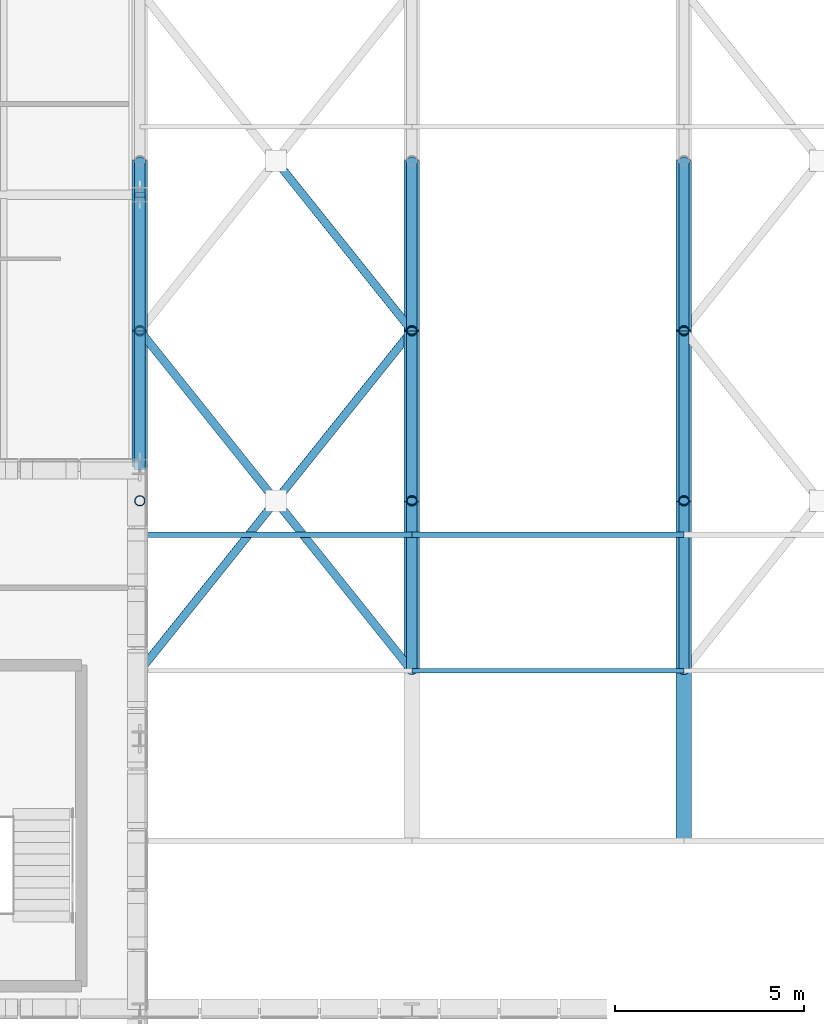
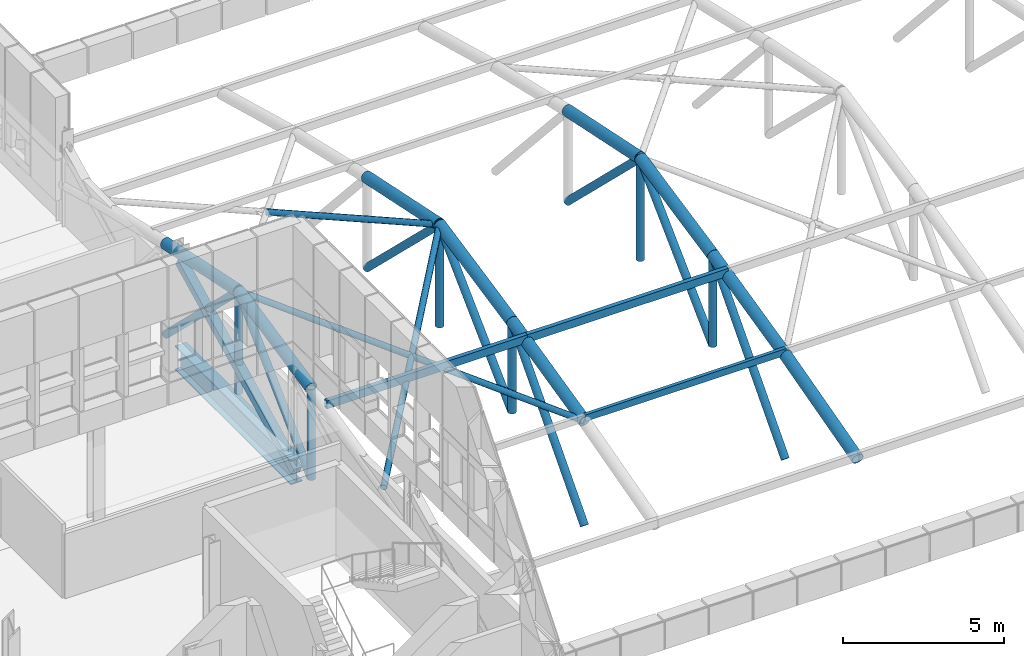
# One storey, part 22 of 96: 31 members, 1 beam.
"""IFC4 building model written with IfcOpenShell, lengths in metres."""

from ifc_helpers import new_model, si_unit, direction, frame, origin, origin_2d, place, context, subcontext, project, spatial, hollow_rectangle, hollow_circle, i_section, extrude, material, material_profile, profile_set, type_object, element, save


model = new_model("IFC4")

# Units and contexts
model_context = context("Model", 3, precision=1e-05, world=origin(), true_north=direction((0.0, 1.0)))
body_context = subcontext(model_context, "Body", "Model", "MODEL_VIEW")
ifc_project = project(units=[si_unit("LENGTHUNIT", "METRE"), si_unit("AREAUNIT", "SQUARE_METRE"), si_unit("VOLUMEUNIT", "CUBIC_METRE"), si_unit("PLANEANGLEUNIT", "RADIAN"), si_unit("MASSUNIT", "GRAM", prefix="KILO")], contexts=[model_context])

# Site, building, storey
site_placement = place(None, origin())
site = spatial("IfcSite", under=ifc_project, at=site_placement, CompositionType="ELEMENT")
building_placement = place(site_placement, origin())
building = spatial("IfcBuilding", under=site, at=building_placement, Name="Yarey Park Central Fire Station", CompositionType="ELEMENT")
storey_placement = place(building_placement, frame((0.0, 0.0, 14.39990234375)))
storey = spatial("IfcBuildingStorey", under=building, at=storey_placement, Name="L04", CompositionType="ELEMENT", Elevation=14.39990234375)

# Beam
ifc_material_1 = material(Name="Steel ASTM A992 Gr. 50", Category="steel")
ifc_material_profile_1 = material_profile(ifc_material_1, i_section(OverallWidth=0.41796875, OverallDepth=0.912109375, WebThickness=0.019287109375, FlangeThickness=0.031982421875, at=origin_2d()), Name="W920x342")
ifc_profile_set_1 = profile_set([ifc_material_profile_1], Name="Steel ASTM A992 Gr. 50")
beam_type = type_object("IfcBeamType", Name="STR_BM_W920E", PredefinedType="BEAM", material=ifc_profile_set_1)
beam_placement = place(storey_placement, frame((57.60009765625, 72.0, -0.705810546875), z_axis=(0.0, 1.0, 0.0), x_axis=(-1.0, 0.0, 0.0)))
element("IfcBeam", 1, at=beam_placement, inside=storey, type_object=beam_type, Name="Transfer Truss TT5 L04 CH3", PredefinedType="BEAM", context=body_context, shape_type="SweptSolid", body=[
    extrude(i_section(OverallWidth=0.41796875, OverallDepth=0.912109375, WebThickness=0.019287109375, FlangeThickness=0.031982421875, at=origin_2d()), origin(), (0.0, 0.0, 1.0), 7.199951171875),
])

# Members
ifc_material_2 = material(Name="Steel ASTM A500 Gr. C", Category="steel")
ifc_material_profile_2 = material_profile(ifc_material_2, hollow_circle(Radius=0.109619140625, WallThickness=0.010009765625, at=origin_2d()), Name="CHS 219.1x10")
ifc_profile_set_2 = profile_set([ifc_material_profile_2], Name="Steel ASTM A500 Gr. C")
member_type_1 = type_object("IfcMemberType", Name="STR_BRC_CHS219", PredefinedType="BRACE", material=ifc_profile_set_2)
member_1_placement = place(storey_placement, frame((57.60009765625, 66.60009765625, 1.940185546875), z_axis=(0.615531741105, 0.769419894344, 0.170627377286), x_axis=(-0.780870876022, 0.624692464322, 0.0)))
element("IfcMember", 2, at=member_1_placement, inside=storey, type_object=member_type_1, Name="XBR_ARCH_B01_66_1", PredefinedType="BRACE", context=body_context, shape_type="SweptSolid", body=[
    extrude(hollow_circle(Radius=0.109619140625, WallThickness=0.010009765625, at=origin_2d()), origin(), (0.0, 0.0, 1.0), 11.697021484375),
])
member_2_placement = place(storey_placement, frame((64.800048828125, 66.60009765625, 1.940185546875), z_axis=(-0.61554689676, 0.769412749293, 0.170604921135), x_axis=(-0.780860543151, -0.624705380279, 0.0)))
element("IfcMember", 3, at=member_2_placement, inside=storey, type_object=member_type_1, Name="XBR_ARCH_B01_66_2A", PredefinedType="BRACE", context=body_context, shape_type="SweptSolid", body=[
    extrude(hollow_circle(Radius=0.109619140625, WallThickness=0.010009765625, at=origin_2d()), origin(), (0.0, 0.0, 1.0), 5.8486328125),
])
member_3_placement = place(storey_placement, frame((61.199951171875, 71.10009765625, 2.93798828125), z_axis=(-0.615516584686, 0.769427038924, 0.17064983372), x_axis=(-0.780881208953, -0.624679547852, 0.0)))
element("IfcMember", 4, at=member_3_placement, inside=storey, type_object=member_type_1, Name="XBR_ARCH_B01_66_2B", PredefinedType="BRACE", context=body_context, shape_type="SweptSolid", body=[
    extrude(hollow_circle(Radius=0.109619140625, WallThickness=0.010009765625, at=origin_2d()), origin(), (0.0, 0.0, 1.0), 5.848388671875),
])
member_4_placement = place(storey_placement, frame((64.800048828125, 75.60009765625, 3.93603515625), z_axis=(-0.615542512582, 0.76940726922, -0.170645449033), x_axis=(-0.780860543151, -0.624705380279, 0.0)))
element("IfcMember", 5, at=member_4_placement, inside=storey, type_object=member_type_1, Name="XBR_ARCH_B01_75_2A", PredefinedType="BRACE", context=body_context, shape_type="SweptSolid", body=[
    extrude(hollow_circle(Radius=0.109619140625, WallThickness=0.010009765625, at=origin_2d()), origin(), (0.0, 0.0, 1.0), 5.8486328125),
])
ifc_material_profile_3 = material_profile(ifc_material_2, hollow_circle(Radius=0.203125, WallThickness=0.01611328125, at=origin_2d()), Name="CHS 406.4x16")
ifc_profile_set_3 = profile_set([ifc_material_profile_3], Name="Steel ASTM A500 Gr. C")
member_type_2 = type_object("IfcMemberType", Name="STR_CHORD_CHS406", PredefinedType="CHORD", material=ifc_profile_set_3)
for number, where, z_axis, x_axis, name in (
    (6, (57.60009765625, 71.10009765625, 2.99609375), (0.0, 0.978874249501, 0.204463208582), (-1.0, 0.0, 0.0), "Arched Roof Truss ART_01 Top Chord 4"),
    (7, (57.60009765625, 75.60009765625, 3.93603515625), (0.0, 0.978874249501, -0.204463208582), (-1.0, 0.0, 0.0), "Arched Roof Truss ART_01 Top Chord 5"),
):
    element("IfcMember", number, at=place(storey_placement, frame(where, z_axis=z_axis, x_axis=x_axis)), inside=storey, type_object=member_type_2, Name=name, PredefinedType="CHORD", context=body_context, shape_type="SweptSolid", body=[
        extrude(hollow_circle(Radius=0.203125, WallThickness=0.01611328125, at=origin_2d()), origin(), (0.0, 0.0, 1.0), 4.59716796875),
    ])
member_5_placement = place(storey_placement, frame((64.800048828125, 66.60009765625, 1.940185546875), z_axis=(0.0, 0.97355760432, 0.228441657915), x_axis=(-1.0, 0.0, 0.0)))
element("IfcMember", 8, at=member_5_placement, inside=storey, type_object=member_type_2, Name="Arched Roof Truss ART_02 Top Chord 3", PredefinedType="CHORD", context=body_context, shape_type="SweptSolid", body=[
    extrude(hollow_circle(Radius=0.203125, WallThickness=0.01611328125, at=origin_2d()), origin(), (0.0, 0.0, 1.0), 4.622314453125),
])
for number, where, z_axis, x_axis, name in (
    (9, (64.800048828125, 71.10009765625, 2.99609375), (0.0, 0.978874249501, 0.204463208582), (-1.0, 0.0, 0.0), "Arched Roof Truss ART_02 Top Chord 4"),
    (10, (64.800048828125, 75.60009765625, 3.93603515625), (0.0, 0.978874249501, -0.204463208582), (-1.0, 0.0, 0.0), "Arched Roof Truss ART_02 Top Chord 5"),
):
    element("IfcMember", number, at=place(storey_placement, frame(where, z_axis=z_axis, x_axis=x_axis)), inside=storey, type_object=member_type_2, Name=name, PredefinedType="CHORD", context=body_context, shape_type="SweptSolid", body=[
        extrude(hollow_circle(Radius=0.203125, WallThickness=0.01611328125, at=origin_2d()), origin(), (0.0, 0.0, 1.0), 4.59716796875),
    ])
member_6_placement = place(storey_placement, frame((72.0, 62.10009765625, 0.717529296875), z_axis=(0.0, 0.965014687101, 0.262195830783), x_axis=(-1.0, 0.0, 0.0)))
element("IfcMember", 11, at=member_6_placement, inside=storey, type_object=member_type_2, Name="Arched Roof Truss ART_03 Top Chord 2", PredefinedType="CHORD", context=body_context, shape_type="SweptSolid", body=[
    extrude(hollow_circle(Radius=0.203125, WallThickness=0.01611328125, at=origin_2d()), origin(), (0.0, 0.0, 1.0), 4.6630859375),
])
member_7_placement = place(storey_placement, frame((72.0, 66.60009765625, 1.940185546875), z_axis=(0.0, 0.97355760432, 0.228441657915), x_axis=(-1.0, 0.0, 0.0)))
element("IfcMember", 12, at=member_7_placement, inside=storey, type_object=member_type_2, Name="Arched Roof Truss ART_03 Top Chord 3", PredefinedType="CHORD", context=body_context, shape_type="SweptSolid", body=[
    extrude(hollow_circle(Radius=0.203125, WallThickness=0.01611328125, at=origin_2d()), origin(), (0.0, 0.0, 1.0), 4.622314453125),
])
for number, where, z_axis, x_axis, name in (
    (13, (72.0, 71.10009765625, 2.99609375), (0.0, 0.978874249501, 0.204463208582), (-1.0, 0.0, 0.0), "Arched Roof Truss ART_03 Top Chord 4"),
    (14, (72.0, 75.60009765625, 3.93603515625), (0.0, 0.978874249501, -0.204463208582), (-1.0, 0.0, 0.0), "Arched Roof Truss ART_03 Top Chord 5"),
):
    element("IfcMember", number, at=place(storey_placement, frame(where, z_axis=z_axis, x_axis=x_axis)), inside=storey, type_object=member_type_2, Name=name, PredefinedType="CHORD", context=body_context, shape_type="SweptSolid", body=[
        extrude(hollow_circle(Radius=0.203125, WallThickness=0.01611328125, at=origin_2d()), origin(), (0.0, 0.0, 1.0), 4.59716796875),
    ])
ifc_material_profile_4 = material_profile(ifc_material_2, hollow_rectangle(XDim=0.125, YDim=0.25, WallThickness=0.008056640625, at=origin_2d()), Name="HSS 250x125x8")
ifc_profile_set_4 = profile_set([ifc_material_profile_4], Name="Steel ASTM A500 Gr. C")
member_type_3 = type_object("IfcMemberType", Name="STR_GIRT_HSS250", PredefinedType="PURLIN", material=ifc_profile_set_4)
member_8_placement = place(storey_placement, frame((64.800048828125, 66.60009765625, 2.0791015625), z_axis=(1.0, 0.0, 0.0), x_axis=(0.0, 1.0, 0.0)))
element("IfcMember", 15, at=member_8_placement, inside=storey, type_object=member_type_3, Name="PUR_ARCH_B02_2", PredefinedType="PURLIN", context=body_context, shape_type="SweptSolid", body=[
    extrude(hollow_rectangle(XDim=0.125, YDim=0.25, WallThickness=0.008056640625, at=origin_2d()), origin(), (0.0, 0.0, 1.0), 7.199951171875),
])
ifc_material_profile_5 = material_profile(ifc_material_2, hollow_rectangle(XDim=0.300048828125, YDim=0.300048828125, WallThickness=0.01611328125, at=origin_2d()), Name="HSS 300x300x16")
ifc_profile_set_5 = profile_set([ifc_material_profile_5], Name="Steel ASTM A500 Gr. C")
member_type_4 = type_object("IfcMemberType", Name="STR_PRATT_HSS300E", PredefinedType="BRACE", material=ifc_profile_set_5)
member_9_placement = place(storey_placement, frame((57.60009765625, 72.0, -0.699951171875), z_axis=(0.0, 0.894421125195, 0.447225726904), x_axis=(-1.0, 0.0, 0.0)))
element("IfcMember", 16, at=member_9_placement, inside=storey, type_object=member_type_4, Name="TT5_L04_DIAG3", PredefinedType="BRACE", context=body_context, shape_type="SweptSolid", body=[
    extrude(hollow_rectangle(XDim=0.300048828125, YDim=0.300048828125, WallThickness=0.01611328125, at=origin_2d()), origin(), (0.0, 0.0, 1.0), 8.0498046875),
])
ifc_material_profile_6 = material_profile(ifc_material_2, hollow_rectangle(XDim=0.14990234375, YDim=0.300048828125, WallThickness=0.010009765625, at=origin_2d()), Name="HSS 300x150x10")
ifc_profile_set_6 = profile_set([ifc_material_profile_6], Name="Steel ASTM A500 Gr. C")
member_type_5 = type_object("IfcMemberType", Name="STR_PUR_HSS300", PredefinedType="PURLIN", material=ifc_profile_set_6)
for number, where, z_axis, x_axis, name in (
    (17, (57.60009765625, 70.199951171875, 2.922119140625), (1.0, 0.0, 0.0), (0.0, 1.0, 0.0), "PUR_ARCH_B01_3"),
    (18, (64.800048828125, 70.199951171875, 2.922119140625), (1.0, 0.0, 0.0), (0.0, 1.0, 0.0), "PUR_ARCH_B02_3"),
):
    element("IfcMember", number, at=place(storey_placement, frame(where, z_axis=z_axis, x_axis=x_axis)), inside=storey, type_object=member_type_5, Name=name, PredefinedType="PURLIN", context=body_context, shape_type="SweptSolid", body=[
        extrude(hollow_rectangle(XDim=0.14990234375, YDim=0.300048828125, WallThickness=0.010009765625, at=origin_2d()), origin(), (0.0, 0.0, 1.0), 7.199951171875),
    ])
ifc_material_profile_7 = material_profile(ifc_material_2, hollow_circle(Radius=0.136474609375, WallThickness=0.012451171875, at=origin_2d()), Name="CHS 273x12.5")
ifc_profile_set_7 = profile_set([ifc_material_profile_7], Name="Steel ASTM A500 Gr. C")
member_type_6 = type_object("IfcMemberType", Name="STR_WEB_CHS273", PredefinedType="BRACE", material=ifc_profile_set_7)
for number, where, z_axis, x_axis, name in (
    (19, (57.60009765625, 71.10009765625, -0.43115234375), (0.0, 0.717617317355, 0.696437639586), (-1.0, 0.0, 0.0), "Arched Roof Truss ART_01 Diagonal 4"),
    (20, (57.60009765625, 75.60009765625, 3.93603515625), (0.0, 0.717617317355, -0.696437639586), (-1.0, 0.0, 0.0), "Arched Roof Truss ART_01 Diagonal 5"),
):
    element("IfcMember", number, at=place(storey_placement, frame(where, z_axis=z_axis, x_axis=x_axis)), inside=storey, type_object=member_type_6, Name=name, PredefinedType="BRACE", context=body_context, shape_type="SweptSolid", body=[
        extrude(hollow_circle(Radius=0.136474609375, WallThickness=0.012451171875, at=origin_2d()), origin(), (0.0, 0.0, 1.0), 6.270751953125),
    ])
member_10_placement = place(storey_placement, frame((57.60009765625, 71.10009765625, -0.43115234375), z_axis=(0.0, 0.0, 1.0), x_axis=(1.0, 0.0, 0.0)))
element("IfcMember", 21, at=member_10_placement, inside=storey, type_object=member_type_6, Name="Arched Roof Truss ART_01 Vertical 4", PredefinedType="BRACE", context=body_context, shape_type="SweptSolid", body=[
    extrude(hollow_circle(Radius=0.136474609375, WallThickness=0.012451171875, at=origin_2d()), origin(), (0.0, 0.0, 1.0), 3.42724609375),
])
member_11_placement = place(storey_placement, frame((57.60009765625, 75.60009765625, 0.10009765625), z_axis=(0.0, 0.0, 1.0), x_axis=(1.0, 0.0, 0.0)))
element("IfcMember", 22, at=member_11_placement, inside=storey, type_object=member_type_6, Name="Arched Roof Truss ART_01 Vertical 5", PredefinedType="BRACE", context=body_context, shape_type="SweptSolid", body=[
    extrude(hollow_circle(Radius=0.136474609375, WallThickness=0.012451171875, at=origin_2d()), origin(), (0.0, 0.0, 1.0), 3.8359375),
])
member_12_placement = place(storey_placement, frame((64.800048828125, 66.60009765625, -2.02490234375), z_axis=(0.0, 0.667414870686, 0.744686101916), x_axis=(-1.0, 0.0, 0.0)))
element("IfcMember", 23, at=member_12_placement, inside=storey, type_object=member_type_6, Name="Arched Roof Truss ART_02 Diagonal 3", PredefinedType="BRACE", context=body_context, shape_type="SweptSolid", body=[
    extrude(hollow_circle(Radius=0.136474609375, WallThickness=0.012451171875, at=origin_2d()), origin(), (0.0, 0.0, 1.0), 6.742431640625),
])
for number, where, z_axis, x_axis, name in (
    (24, (64.800048828125, 71.10009765625, -0.43115234375), (0.0, 0.717617317355, 0.696437639586), (-1.0, 0.0, 0.0), "Arched Roof Truss ART_02 Diagonal 4"),
    (25, (64.800048828125, 75.60009765625, 3.93603515625), (0.0, 0.717617317355, -0.696437639586), (-1.0, 0.0, 0.0), "Arched Roof Truss ART_02 Diagonal 5"),
):
    element("IfcMember", number, at=place(storey_placement, frame(where, z_axis=z_axis, x_axis=x_axis)), inside=storey, type_object=member_type_6, Name=name, PredefinedType="BRACE", context=body_context, shape_type="SweptSolid", body=[
        extrude(hollow_circle(Radius=0.136474609375, WallThickness=0.012451171875, at=origin_2d()), origin(), (0.0, 0.0, 1.0), 6.270751953125),
    ])
member_13_placement = place(storey_placement, frame((64.800048828125, 71.10009765625, -0.43115234375), z_axis=(0.0, 0.0, 1.0), x_axis=(1.0, 0.0, 0.0)))
element("IfcMember", 26, at=member_13_placement, inside=storey, type_object=member_type_6, Name="Arched Roof Truss ART_02 Vertical 4", PredefinedType="BRACE", context=body_context, shape_type="SweptSolid", body=[
    extrude(hollow_circle(Radius=0.136474609375, WallThickness=0.012451171875, at=origin_2d()), origin(), (0.0, 0.0, 1.0), 3.42724609375),
])
member_14_placement = place(storey_placement, frame((64.800048828125, 75.60009765625, 0.10009765625), z_axis=(0.0, 0.0, 1.0), x_axis=(1.0, 0.0, 0.0)))
element("IfcMember", 27, at=member_14_placement, inside=storey, type_object=member_type_6, Name="Arched Roof Truss ART_02 Vertical 5", PredefinedType="BRACE", context=body_context, shape_type="SweptSolid", body=[
    extrude(hollow_circle(Radius=0.136474609375, WallThickness=0.012451171875, at=origin_2d()), origin(), (0.0, 0.0, 1.0), 3.8359375),
])
member_15_placement = place(storey_placement, frame((72.0, 66.60009765625, -2.02490234375), z_axis=(0.0, 0.667414870686, 0.744686101916), x_axis=(-1.0, 0.0, 0.0)))
element("IfcMember", 28, at=member_15_placement, inside=storey, type_object=member_type_6, Name="Arched Roof Truss ART_03 Diagonal 3", PredefinedType="BRACE", context=body_context, shape_type="SweptSolid", body=[
    extrude(hollow_circle(Radius=0.136474609375, WallThickness=0.012451171875, at=origin_2d()), origin(), (0.0, 0.0, 1.0), 6.742431640625),
])
for number, where, z_axis, x_axis, name in (
    (29, (72.0, 71.10009765625, -0.43115234375), (0.0, 0.717617317355, 0.696437639586), (-1.0, 0.0, 0.0), "Arched Roof Truss ART_03 Diagonal 4"),
    (30, (72.0, 75.60009765625, 3.93603515625), (0.0, 0.717617317355, -0.696437639586), (-1.0, 0.0, 0.0), "Arched Roof Truss ART_03 Diagonal 5"),
):
    element("IfcMember", number, at=place(storey_placement, frame(where, z_axis=z_axis, x_axis=x_axis)), inside=storey, type_object=member_type_6, Name=name, PredefinedType="BRACE", context=body_context, shape_type="SweptSolid", body=[
        extrude(hollow_circle(Radius=0.136474609375, WallThickness=0.012451171875, at=origin_2d()), origin(), (0.0, 0.0, 1.0), 6.270751953125),
    ])
member_16_placement = place(storey_placement, frame((72.0, 71.10009765625, -0.43115234375), z_axis=(0.0, 0.0, 1.0), x_axis=(1.0, 0.0, 0.0)))
element("IfcMember", 31, at=member_16_placement, inside=storey, type_object=member_type_6, Name="Arched Roof Truss ART_03 Vertical 4", PredefinedType="BRACE", context=body_context, shape_type="SweptSolid", body=[
    extrude(hollow_circle(Radius=0.136474609375, WallThickness=0.012451171875, at=origin_2d()), origin(), (0.0, 0.0, 1.0), 3.42724609375),
])
member_17_placement = place(storey_placement, frame((72.0, 75.60009765625, 0.10009765625), z_axis=(0.0, 0.0, 1.0), x_axis=(1.0, 0.0, 0.0)))
element("IfcMember", 32, at=member_17_placement, inside=storey, type_object=member_type_6, Name="Arched Roof Truss ART_03 Vertical 5", PredefinedType="BRACE", context=body_context, shape_type="SweptSolid", body=[
    extrude(hollow_circle(Radius=0.136474609375, WallThickness=0.012451171875, at=origin_2d()), origin(), (0.0, 0.0, 1.0), 3.8359375),
])

save(model, "model.ifc")
